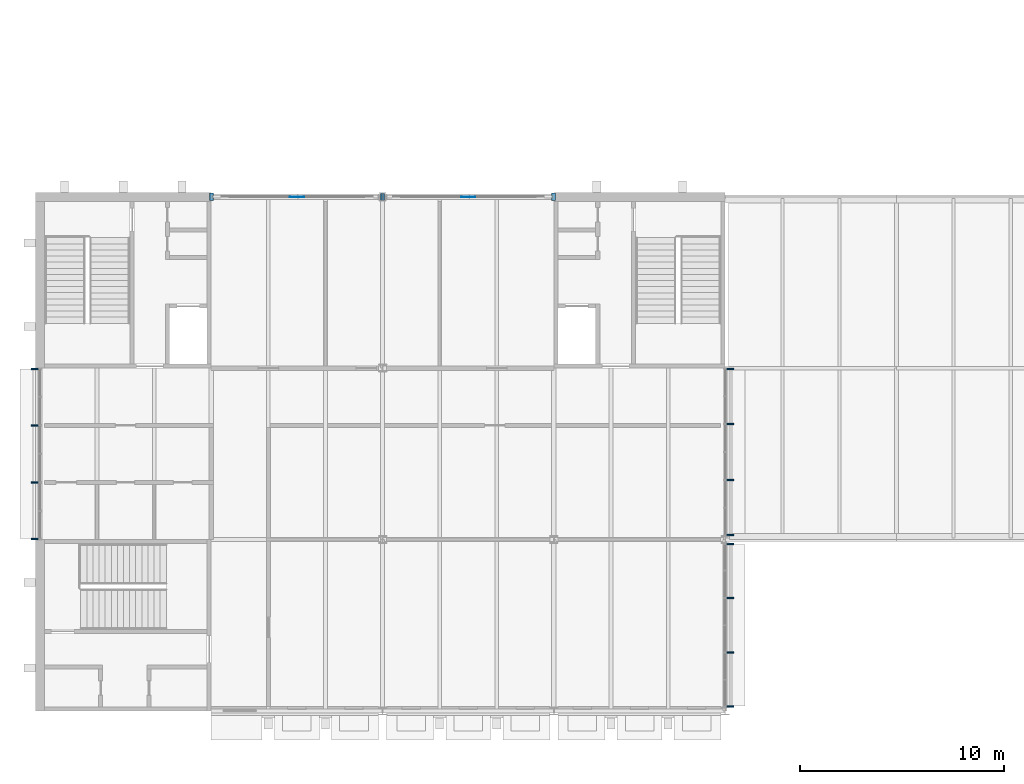
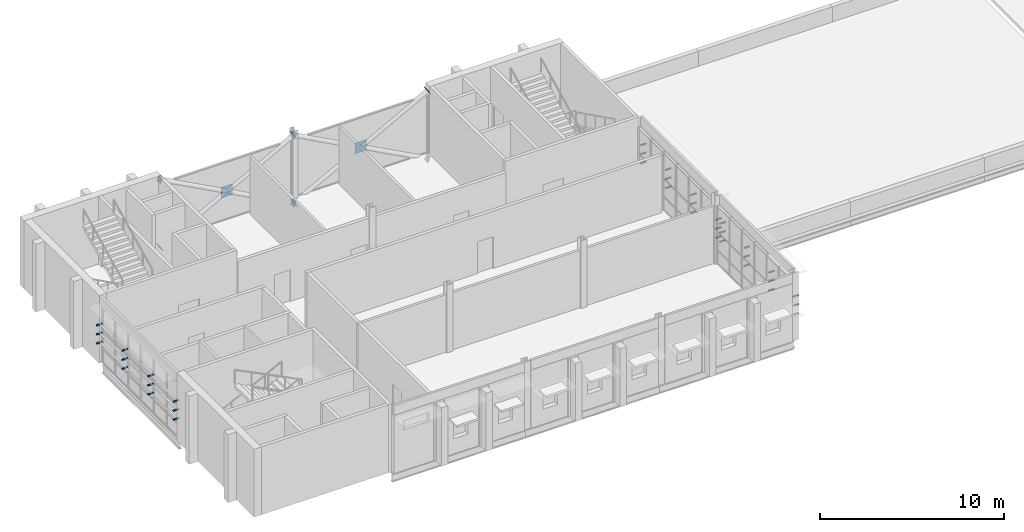
# One storey, part 26 of 29: 46 discrete accessories.
"""IFC4 building model written with IfcOpenShell, lengths in metres."""

from ifc_helpers import new_model, si_unit, direction, frame, origin, origin_2d, place, context, subcontext, project, spatial, rectangle, extrude, material, material_profile, profile_set, type_object, element, save


model = new_model("IFC4")

# Units and contexts
model_context = context("Model", 3, precision=1e-05, world=origin(), true_north=direction((0.0, 1.0)))
body_context = subcontext(model_context, "Body", "Model", "MODEL_VIEW")
ifc_project = project(units=[si_unit("LENGTHUNIT", "METRE"), si_unit("AREAUNIT", "SQUARE_METRE"), si_unit("VOLUMEUNIT", "CUBIC_METRE"), si_unit("PLANEANGLEUNIT", "RADIAN"), si_unit("MASSUNIT", "GRAM", prefix="KILO")], contexts=[model_context])

# Site, building, storey
site_placement = place(None, origin())
site = spatial("IfcSite", under=ifc_project, at=site_placement, CompositionType="ELEMENT")
building_placement = place(site_placement, origin())
building = spatial("IfcBuilding", under=site, at=building_placement, Name="Ardhachandra Cancer Care Centre", CompositionType="ELEMENT")
storey_placement = place(building_placement, frame((0.0, 0.0, 13.5)))
storey = spatial("IfcBuildingStorey", under=building, at=storey_placement, Name="L03", CompositionType="ELEMENT", Elevation=13.5)

# Discrete accessories
ifc_material_1 = material(Name="Steel E250 (IS 2062)", Category="steel")
ifc_material_profile_1 = material_profile(ifc_material_1, rectangle(XDim=0.373046875, YDim=0.373046875, at=origin_2d()), Name="PL 373x373x20")
ifc_profile_set_1 = profile_set([ifc_material_profile_1], Name="Steel E250 (IS 2062)")
discrete_accessory_type_1 = type_object("IfcDiscreteAccessoryType", Name="Brace end plate 373 x 373 x 20", PredefinedType="BRACKET", material=ifc_profile_set_1)
discrete_accessory_1_placement = place(storey_placement, frame((19.199951171875, 96.60009765625, -0.39990234375), z_axis=(0.884384752847, 0.0, 0.466758619558), x_axis=(0.0, 1.0, 0.0)))
element("IfcDiscreteAccessory", 1, at=discrete_accessory_1_placement, inside=storey, type_object=discrete_accessory_type_1, Name="Brace end plate V6-X966-192 L03 A0", PredefinedType="BRACKET", context=body_context, shape_type="SweptSolid", body=[
    extrude(rectangle(XDim=0.373046875, YDim=0.373046875, at=origin_2d()), origin(), (0.0, 0.0, 1.0), 0.019775390625),
])
discrete_accessory_2_placement = place(storey_placement, frame((27.60009765625, 96.60009765625, 4.10009765625), z_axis=(-0.882018256262, 0.0, -0.471215232798), x_axis=(0.0, -1.0, 0.0)))
element("IfcDiscreteAccessory", 2, at=discrete_accessory_2_placement, inside=storey, type_object=discrete_accessory_type_1, Name="Brace end plate V6-X966-192 L03 A1", PredefinedType="BRACKET", context=body_context, shape_type="SweptSolid", body=[
    extrude(rectangle(XDim=0.373046875, YDim=0.373046875, at=origin_2d()), origin(), (0.0, 0.0, 1.0), 0.020263671875),
])
for number, where, z_axis, x_axis, name in (
    (3, (27.60009765625, 96.60009765625, -0.39990234375), (-0.887017774073, 0.0, 0.461735279655), (0.0, -1.0, 0.0), "Brace end plate V6-X966-192 L03 B10"),
    (4, (19.199951171875, 96.60009765625, 4.10009765625), (0.879291966537, 0.0, -0.476283148541), (0.0, 1.0, 0.0), "Brace end plate V6-X966-192 L03 B21"),
):
    element("IfcDiscreteAccessory", number, at=place(storey_placement, frame(where, z_axis=z_axis, x_axis=x_axis)), inside=storey, type_object=discrete_accessory_type_1, Name=name, PredefinedType="BRACKET", context=body_context, shape_type="SweptSolid", body=[
        extrude(rectangle(XDim=0.373046875, YDim=0.373046875, at=origin_2d()), origin(), (0.0, 0.0, 1.0), 0.02001953125),
    ])
discrete_accessory_3_placement = place(storey_placement, frame((27.60009765625, 96.60009765625, -0.39990234375), z_axis=(0.884384752847, 0.0, 0.466758619558), x_axis=(0.0, 1.0, 0.0)))
element("IfcDiscreteAccessory", 5, at=discrete_accessory_3_placement, inside=storey, type_object=discrete_accessory_type_1, Name="Brace end plate V6-X966-276 L03 A0", PredefinedType="BRACKET", context=body_context, shape_type="SweptSolid", body=[
    extrude(rectangle(XDim=0.373046875, YDim=0.373046875, at=origin_2d()), origin(), (0.0, 0.0, 1.0), 0.019775390625),
])
discrete_accessory_4_placement = place(storey_placement, frame((36.0, 96.60009765625, 4.10009765625), z_axis=(-0.879291966537, 0.0, -0.476283148541), x_axis=(0.0, -1.0, 0.0)))
element("IfcDiscreteAccessory", 6, at=discrete_accessory_4_placement, inside=storey, type_object=discrete_accessory_type_1, Name="Brace end plate V6-X966-276 L03 A1", PredefinedType="BRACKET", context=body_context, shape_type="SweptSolid", body=[
    extrude(rectangle(XDim=0.373046875, YDim=0.373046875, at=origin_2d()), origin(), (0.0, 0.0, 1.0), 0.02001953125),
])
discrete_accessory_5_placement = place(storey_placement, frame((36.0, 96.60009765625, -0.39990234375), z_axis=(-0.884384752847, 0.0, 0.466758619558), x_axis=(0.0, -1.0, 0.0)))
element("IfcDiscreteAccessory", 7, at=discrete_accessory_5_placement, inside=storey, type_object=discrete_accessory_type_1, Name="Brace end plate V6-X966-276 L03 B10", PredefinedType="BRACKET", context=body_context, shape_type="SweptSolid", body=[
    extrude(rectangle(XDim=0.373046875, YDim=0.373046875, at=origin_2d()), origin(), (0.0, 0.0, 1.0), 0.019775390625),
])
discrete_accessory_6_placement = place(storey_placement, frame((27.60009765625, 96.60009765625, 4.10009765625), z_axis=(0.879291966537, 0.0, -0.476283148541), x_axis=(0.0, 1.0, 0.0)))
element("IfcDiscreteAccessory", 8, at=discrete_accessory_6_placement, inside=storey, type_object=discrete_accessory_type_1, Name="Brace end plate V6-X966-276 L03 B21", PredefinedType="BRACKET", context=body_context, shape_type="SweptSolid", body=[
    extrude(rectangle(XDim=0.373046875, YDim=0.373046875, at=origin_2d()), origin(), (0.0, 0.0, 1.0), 0.02001953125),
])
ifc_material_2 = material(Name="Steel E250 (IS 2062)", Category="steel")
ifc_material_profile_2 = material_profile(ifc_material_2, rectangle(XDim=0.699951171875, YDim=0.699951171875, at=origin_2d()), Name="PL 700x700x20")
ifc_profile_set_2 = profile_set([ifc_material_profile_2], Name="Steel E250 (IS 2062)")
discrete_accessory_type_2 = type_object("IfcDiscreteAccessoryType", Name="Brace node plate 700 x 700 x 20", PredefinedType="BRACKET", material=ifc_profile_set_2)
for number, where, z_axis, x_axis, name in (
    (9, (23.39990234375, 96.590087890625, 1.85009765625), (0.0, 1.0, 0.0), (-1.0, 0.0, 0.0), "Brace node plate V6-X966-192 L03"),
    (10, (31.800048828125, 96.590087890625, 1.85009765625), (0.0, 1.0, 0.0), (-1.0, 0.0, 0.0), "Brace node plate V6-X966-276 L03"),
):
    element("IfcDiscreteAccessory", number, at=place(storey_placement, frame(where, z_axis=z_axis, x_axis=x_axis)), inside=storey, type_object=discrete_accessory_type_2, Name=name, PredefinedType="BRACKET", context=body_context, shape_type="SweptSolid", body=[
        extrude(rectangle(XDim=0.699951171875, YDim=0.699951171875, at=origin_2d()), origin(), (0.0, 0.0, 1.0), 0.02001953125),
    ])
ifc_material_3 = material(Name="Galvanised flat steel (Steel E250 (IS 2062))", Category="steel")
discrete_accessory_type_3 = type_object("IfcDiscreteAccessoryType", Name="Louvre bracket 80 x 350", PredefinedType="BRACKET", material=ifc_material_3)
for number, where, z_axis, x_axis, name in (
    (11, (44.655029296875, 71.614013671875, 1.38427734375), (0.0, 0.0, 1.0), (0.0, 1.0, 0.0), "Louvre bracket L03/e/0044400_0071400 1.1"),
    (12, (44.655029296875, 74.26123046875, 1.38427734375), (0.0, 0.0, 1.0), (0.0, 1.0, 0.0), "Louvre bracket L03/e/0044400_0071400 1.2"),
    (13, (44.655029296875, 76.938720703125, 1.38427734375), (0.0, 0.0, 1.0), (0.0, 1.0, 0.0), "Louvre bracket L03/e/0044400_0071400 1.3"),
    (14, (44.655029296875, 79.5859375, 1.38427734375), (0.0, 0.0, 1.0), (0.0, 1.0, 0.0), "Louvre bracket L03/e/0044400_0071400 1.4"),
    (15, (44.655029296875, 71.614013671875, 1.984375), (0.0, 0.0, 1.0), (0.0, 1.0, 0.0), "Louvre bracket L03/e/0044400_0071400 2.1"),
    (16, (44.655029296875, 74.26123046875, 1.984375), (0.0, 0.0, 1.0), (0.0, 1.0, 0.0), "Louvre bracket L03/e/0044400_0071400 2.2"),
    (17, (44.655029296875, 76.938720703125, 1.984375), (0.0, 0.0, 1.0), (0.0, 1.0, 0.0), "Louvre bracket L03/e/0044400_0071400 2.3"),
    (18, (44.655029296875, 79.5859375, 1.984375), (0.0, 0.0, 1.0), (0.0, 1.0, 0.0), "Louvre bracket L03/e/0044400_0071400 2.4"),
    (19, (44.655029296875, 71.614013671875, 2.58447265625), (0.0, 0.0, 1.0), (0.0, 1.0, 0.0), "Louvre bracket L03/e/0044400_0071400 3.1"),
    (20, (44.655029296875, 74.26123046875, 2.58447265625), (0.0, 0.0, 1.0), (0.0, 1.0, 0.0), "Louvre bracket L03/e/0044400_0071400 3.2"),
    (21, (44.655029296875, 76.938720703125, 2.58447265625), (0.0, 0.0, 1.0), (0.0, 1.0, 0.0), "Louvre bracket L03/e/0044400_0071400 3.3"),
    (22, (44.655029296875, 79.5859375, 2.58447265625), (0.0, 0.0, 1.0), (0.0, 1.0, 0.0), "Louvre bracket L03/e/0044400_0071400 3.4"),
    (23, (44.655029296875, 80.013916015625, 1.38427734375), (0.0, 0.0, 1.0), (0.0, 1.0, 0.0), "Louvre bracket L03/e/0044400_0079800 1.1"),
    (24, (44.655029296875, 82.72265625, 1.38427734375), (0.0, 0.0, 1.0), (0.0, 1.0, 0.0), "Louvre bracket L03/e/0044400_0079800 1.2"),
    (25, (44.655029296875, 85.46142578125, 1.38427734375), (0.0, 0.0, 1.0), (0.0, 1.0, 0.0), "Louvre bracket L03/e/0044400_0079800 1.3"),
    (26, (44.655029296875, 88.169921875, 1.38427734375), (0.0, 0.0, 1.0), (0.0, 1.0, 0.0), "Louvre bracket L03/e/0044400_0079800 1.4"),
    (27, (44.655029296875, 80.013916015625, 1.984375), (0.0, 0.0, 1.0), (0.0, 1.0, 0.0), "Louvre bracket L03/e/0044400_0079800 2.1"),
    (28, (44.655029296875, 82.72265625, 1.984375), (0.0, 0.0, 1.0), (0.0, 1.0, 0.0), "Louvre bracket L03/e/0044400_0079800 2.2"),
    (29, (44.655029296875, 85.46142578125, 1.984375), (0.0, 0.0, 1.0), (0.0, 1.0, 0.0), "Louvre bracket L03/e/0044400_0079800 2.3"),
    (30, (44.655029296875, 88.169921875, 1.984375), (0.0, 0.0, 1.0), (0.0, 1.0, 0.0), "Louvre bracket L03/e/0044400_0079800 2.4"),
    (31, (44.655029296875, 80.013916015625, 2.58447265625), (0.0, 0.0, 1.0), (0.0, 1.0, 0.0), "Louvre bracket L03/e/0044400_0079800 3.1"),
    (32, (44.655029296875, 82.72265625, 2.58447265625), (0.0, 0.0, 1.0), (0.0, 1.0, 0.0), "Louvre bracket L03/e/0044400_0079800 3.2"),
    (33, (44.655029296875, 85.46142578125, 2.58447265625), (0.0, 0.0, 1.0), (0.0, 1.0, 0.0), "Louvre bracket L03/e/0044400_0079800 3.3"),
    (34, (44.655029296875, 88.169921875, 2.58447265625), (0.0, 0.0, 1.0), (0.0, 1.0, 0.0), "Louvre bracket L03/e/0044400_0079800 3.4"),
    (35, (10.544921875, 79.830078125, 1.38427734375), (0.0, 0.0, 1.0), (0.0, 1.0, 0.0), "Louvre bracket L03/w/0010800_0079800 1.1"),
    (36, (10.544921875, 82.60009765625, 1.38427734375), (0.0, 0.0, 1.0), (0.0, 1.0, 0.0), "Louvre bracket L03/w/0010800_0079800 1.2"),
    (37, (10.544921875, 85.39990234375, 1.38427734375), (0.0, 0.0, 1.0), (0.0, 1.0, 0.0), "Louvre bracket L03/w/0010800_0079800 1.3"),
    (38, (10.544921875, 88.169921875, 1.38427734375), (0.0, 0.0, 1.0), (0.0, 1.0, 0.0), "Louvre bracket L03/w/0010800_0079800 1.4"),
    (39, (10.544921875, 79.830078125, 1.984375), (0.0, 0.0, 1.0), (0.0, 1.0, 0.0), "Louvre bracket L03/w/0010800_0079800 2.1"),
    (40, (10.544921875, 82.60009765625, 1.984375), (0.0, 0.0, 1.0), (0.0, 1.0, 0.0), "Louvre bracket L03/w/0010800_0079800 2.2"),
    (41, (10.544921875, 85.39990234375, 1.984375), (0.0, 0.0, 1.0), (0.0, 1.0, 0.0), "Louvre bracket L03/w/0010800_0079800 2.3"),
    (42, (10.544921875, 88.169921875, 1.984375), (0.0, 0.0, 1.0), (0.0, 1.0, 0.0), "Louvre bracket L03/w/0010800_0079800 2.4"),
    (43, (10.544921875, 79.830078125, 2.58447265625), (0.0, 0.0, 1.0), (0.0, 1.0, 0.0), "Louvre bracket L03/w/0010800_0079800 3.1"),
    (44, (10.544921875, 82.60009765625, 2.58447265625), (0.0, 0.0, 1.0), (0.0, 1.0, 0.0), "Louvre bracket L03/w/0010800_0079800 3.2"),
    (45, (10.544921875, 85.39990234375, 2.58447265625), (0.0, 0.0, 1.0), (0.0, 1.0, 0.0), "Louvre bracket L03/w/0010800_0079800 3.3"),
    (46, (10.544921875, 88.169921875, 2.58447265625), (0.0, 0.0, 1.0), (0.0, 1.0, 0.0), "Louvre bracket L03/w/0010800_0079800 3.4"),
):
    element("IfcDiscreteAccessory", number, at=place(storey_placement, frame(where, z_axis=z_axis, x_axis=x_axis)), inside=storey, type_object=discrete_accessory_type_3, Name=name, PredefinedType="BRACKET", context=body_context, shape_type="SweptSolid", body=[
        extrude(rectangle(XDim=0.080078125, YDim=0.35009765625, at=origin_2d()), origin(), (0.0, 0.0, 1.0), 0.050048828125),
    ])

save(model, "model.ifc")
